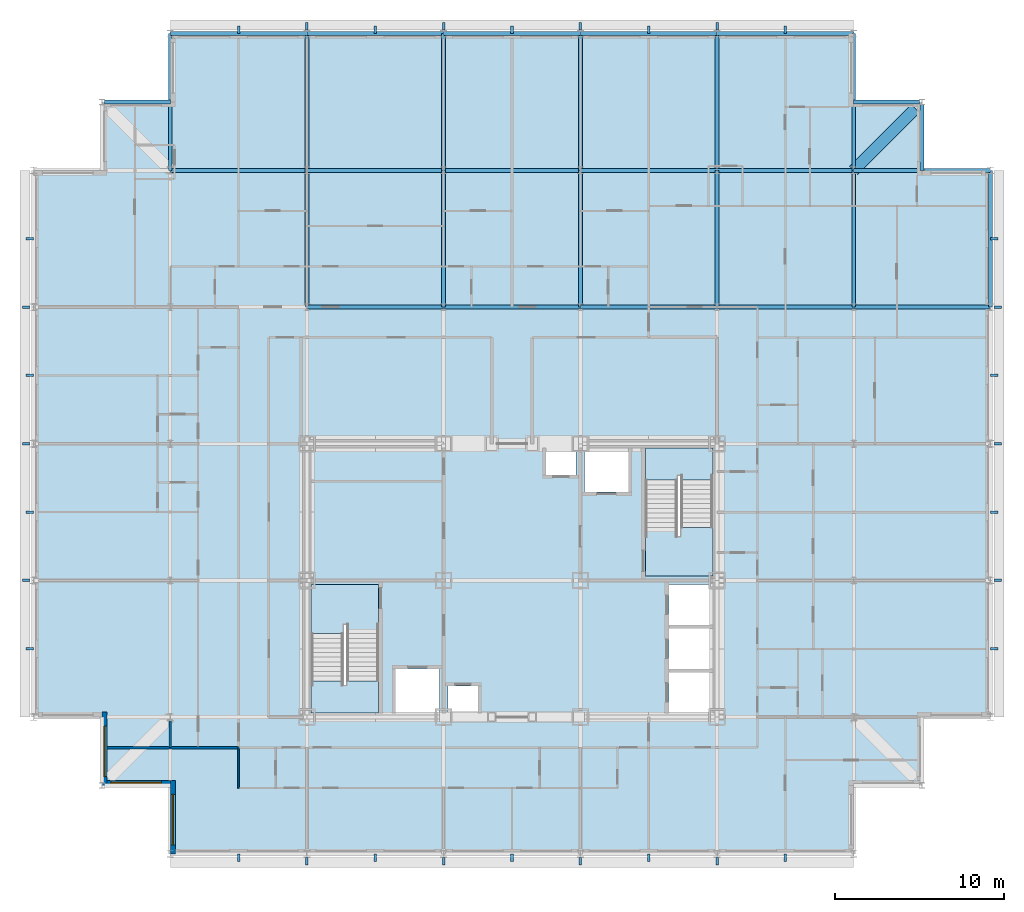
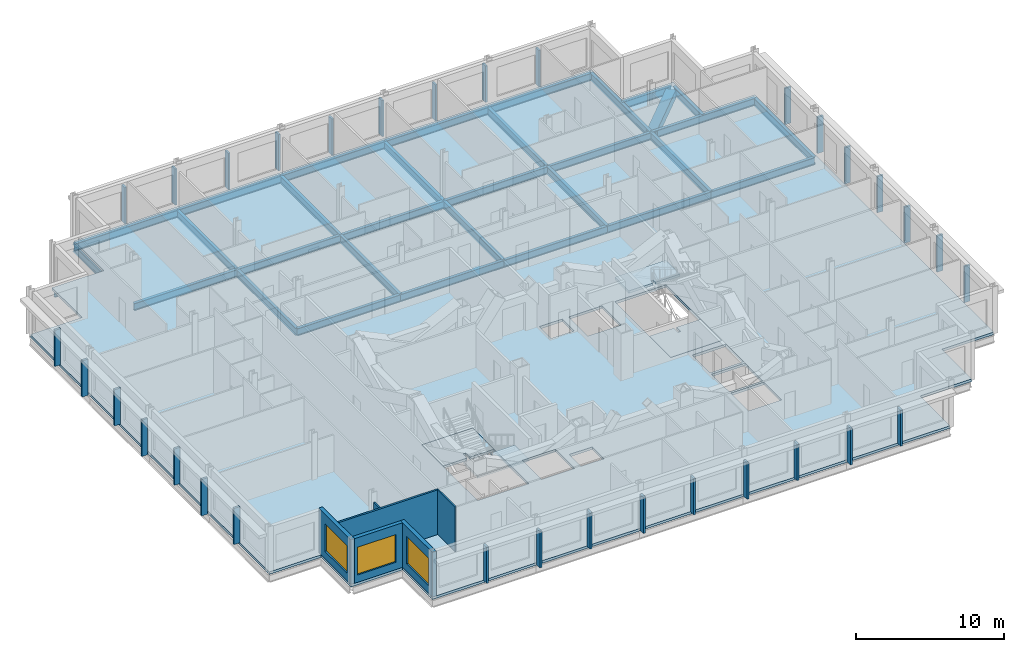
# One storey, part 6 of 15: 32 beams, 32 plates, 6 walls, 5 slabs, 3 windows, 3 openings, 2 elements without a shape of their own.
"""IFC4 building model written with IfcOpenShell, lengths in metres."""

from ifc_helpers import new_model, si_unit, direction, frame, frame_2d, origin, origin_2d, place, context, subcontext, project, spatial, polyline, rectangle, hollow_rectangle, i_section, outline, extrude, material, layer, layer_set, material_profile, profile_set, type_object, element, fill, aggregate, save


model = new_model("IFC4")

# Units and contexts
model_context = context("Model", 3, precision=1e-05, world=origin(), true_north=direction((0.0, 1.0)))
body_context = subcontext(model_context, "Body", "Model", "MODEL_VIEW")
ifc_project = project(units=[si_unit("LENGTHUNIT", "METRE"), si_unit("AREAUNIT", "SQUARE_METRE"), si_unit("VOLUMEUNIT", "CUBIC_METRE"), si_unit("PLANEANGLEUNIT", "RADIAN"), si_unit("MASSUNIT", "GRAM", prefix="KILO")], contexts=[model_context])

# Site, building, storey
site_placement = place(None, origin())
site = spatial("IfcSite", under=ifc_project, at=site_placement, CompositionType="ELEMENT")
building_placement = place(site_placement, origin())
building = spatial("IfcBuilding", under=site, at=building_placement, Name="Kopane Lantern Tower", CompositionType="ELEMENT")
storey_placement = place(building_placement, frame((0.0, 0.0, 289.199951171875)))
storey = spatial("IfcBuildingStorey", under=building, at=storey_placement, Name="L74", CompositionType="ELEMENT", Elevation=289.199951171875)

# Beams
ifc_material_1 = material(Name="Steel S355JR", Category="steel")
ifc_material_profile_1 = material_profile(ifc_material_1, hollow_rectangle(XDim=0.699951171875, YDim=0.699951171875, WallThickness=0.06005859375, at=origin_2d()), Name="BOX 700x700x60")
ifc_profile_set_1 = profile_set([ifc_material_profile_1], Name="Steel S355JR")
beam_type_1 = type_object("IfcBeamType", Name="CORNER TIE BEAM BOX 700x700x60", PredefinedType="BEAM", material=ifc_profile_set_1)
beam_1_placement = place(storey_placement, frame((52.25244140625, 60.3525390625, -0.56005859375), z_axis=(-0.707083148333, -0.70713041325, 0.0), x_axis=(0.70713041325, -0.707083148333, 0.0)))
element("IfcBeam", 1, at=beam_1_placement, inside=storey, type_object=beam_type_1, Name="Corner Tie Beam L74", PredefinedType="BEAM", context=body_context, shape_type="SweptSolid", body=[
    extrude(hollow_rectangle(XDim=0.699951171875, YDim=0.699951171875, WallThickness=0.06005859375, at=origin_2d()), origin(), (0.0, 0.0, 1.0), 5.165283203125),
])
ifc_material_2 = material(Name="Steel S355JR", Category="steel")
ifc_material_profile_2 = material_profile(ifc_material_2, i_section(OverallWidth=0.22900390625, OverallDepth=0.6123046875, WebThickness=0.011962890625, FlangeThickness=0.01953125, FilletRadius=0.0126953125, at=origin_2d()), Name="UB 610x229x125")
ifc_profile_set_2 = profile_set([ifc_material_profile_2], Name="Steel S355JR")
beam_type_2 = type_object("IfcBeamType", Name="EDGE BEAM UB 610x229x125", PredefinedType="BEAM", material=ifc_profile_set_2)
beam_2_placement = place(storey_placement, frame((4.20361328125, 60.75, -0.51611328125), z_axis=(1.0, 0.0, 0.0), x_axis=(0.0, 1.0, 0.0)))
element("IfcBeam", 2, at=beam_2_placement, inside=storey, type_object=beam_type_2, Name="Edge Beam L74", PredefinedType="BEAM", context=body_context, shape_type="SweptSolid", body=[
    extrude(i_section(OverallWidth=0.22900390625, OverallDepth=0.6123046875, WebThickness=0.011962890625, FlangeThickness=0.01953125, FilletRadius=0.0126953125, at=origin_2d()), origin(), (0.0, 0.0, 1.0), 3.896484375),
])
for number, where, z_axis, x_axis, name in (
    (3, (52.496337890625, 60.75, -0.51611328125), (-1.0, 0.0, 0.0), (0.0, -1.0, 0.0), "Edge Beam L74"),
    (4, (52.64990234375, 60.59619140625, -0.51611328125), (0.0, -1.0, 0.0), (1.0, 0.0, 0.0), "Edge Beam L74"),
):
    element("IfcBeam", number, at=place(storey_placement, frame(where, z_axis=z_axis, x_axis=x_axis)), inside=storey, type_object=beam_type_2, Name=name, PredefinedType="BEAM", context=body_context, shape_type="SweptSolid", body=[
        extrude(i_section(OverallWidth=0.22900390625, OverallDepth=0.6123046875, WebThickness=0.011962890625, FlangeThickness=0.01953125, FilletRadius=0.0126953125, at=origin_2d()), origin(), (0.0, 0.0, 1.0), 3.896240234375),
    ])
ifc_material_3 = material(Name="Steel S355JR", Category="steel")
ifc_material_profile_3 = material_profile(ifc_material_3, i_section(OverallWidth=0.22900390625, OverallDepth=0.6123046875, WebThickness=0.011962890625, FlangeThickness=0.01953125, FilletRadius=0.0126953125, at=origin_2d()), Name="UB 610x229x125")
ifc_profile_set_3 = profile_set([ifc_material_profile_3], Name="Steel S355JR")
beam_type_3 = type_object("IfcBeamType", Name="GIRDER UB 610x229x125", PredefinedType="BEAM", material=ifc_profile_set_3)
beam_3_placement = place(storey_placement, frame((8.10009765625, 56.699951171875, -0.51611328125), z_axis=(0.0, 1.0, 0.0), x_axis=(-1.0, 0.0, 0.0)))
element("IfcBeam", 5, at=beam_3_placement, inside=storey, type_object=beam_type_3, Name="Girder L74", PredefinedType="BEAM", context=body_context, shape_type="SweptSolid", body=[
    extrude(i_section(OverallWidth=0.22900390625, OverallDepth=0.6123046875, WebThickness=0.011962890625, FlangeThickness=0.01953125, FilletRadius=0.0126953125, at=origin_2d()), origin(), (0.0, 0.0, 1.0), 8.10009765625),
])
for number, where, z_axis, x_axis, name in (
    (6, (8.10009765625, 56.699951171875, -0.51611328125), (1.0, 0.0, 0.0), (0.0, 1.0, 0.0), "Girder L74"),
    (7, (8.10009765625, 64.800048828125, -0.51611328125), (1.0, 0.0, 0.0), (0.0, 1.0, 0.0), "Girder L74"),
    (8, (16.199951171875, 48.60009765625, -0.51611328125), (0.0, 1.0, 0.0), (-1.0, 0.0, 0.0), "Girder L74"),
):
    element("IfcBeam", number, at=place(storey_placement, frame(where, z_axis=z_axis, x_axis=x_axis)), inside=storey, type_object=beam_type_3, Name=name, PredefinedType="BEAM", context=body_context, shape_type="SweptSolid", body=[
        extrude(i_section(OverallWidth=0.22900390625, OverallDepth=0.6123046875, WebThickness=0.011962890625, FlangeThickness=0.01953125, FilletRadius=0.0126953125, at=origin_2d()), origin(), (0.0, 0.0, 1.0), 8.099853515625),
    ])
for number, where, z_axis, x_axis, name in (
    (9, (16.199951171875, 48.60009765625, -0.51611328125), (1.0, 0.0, 0.0), (0.0, 1.0, 0.0), "Girder L74"),
    (10, (16.199951171875, 56.699951171875, -0.51611328125), (0.0, 1.0, 0.0), (-1.0, 0.0, 0.0), "Girder L74"),
    (11, (16.199951171875, 56.699951171875, -0.51611328125), (1.0, 0.0, 0.0), (0.0, 1.0, 0.0), "Girder L74"),
    (12, (16.199951171875, 64.800048828125, -0.51611328125), (1.0, 0.0, 0.0), (0.0, 1.0, 0.0), "Girder L74"),
):
    element("IfcBeam", number, at=place(storey_placement, frame(where, z_axis=z_axis, x_axis=x_axis)), inside=storey, type_object=beam_type_3, Name=name, PredefinedType="BEAM", context=body_context, shape_type="SweptSolid", body=[
        extrude(i_section(OverallWidth=0.22900390625, OverallDepth=0.6123046875, WebThickness=0.011962890625, FlangeThickness=0.01953125, FilletRadius=0.0126953125, at=origin_2d()), origin(), (0.0, 0.0, 1.0), 8.10009765625),
    ])
for number, where, z_axis, x_axis, name in (
    (13, (24.300048828125, 48.60009765625, -0.51611328125), (0.0, 1.0, 0.0), (-1.0, 0.0, 0.0), "Girder L74"),
    (14, (24.300048828125, 48.60009765625, -0.51611328125), (1.0, 0.0, 0.0), (0.0, 1.0, 0.0), "Girder L74"),
):
    element("IfcBeam", number, at=place(storey_placement, frame(where, z_axis=z_axis, x_axis=x_axis)), inside=storey, type_object=beam_type_3, Name=name, PredefinedType="BEAM", context=body_context, shape_type="SweptSolid", body=[
        extrude(i_section(OverallWidth=0.22900390625, OverallDepth=0.6123046875, WebThickness=0.011962890625, FlangeThickness=0.01953125, FilletRadius=0.0126953125, at=origin_2d()), origin(), (0.0, 0.0, 1.0), 8.099853515625),
    ])
beam_4_placement = place(storey_placement, frame((24.300048828125, 56.699951171875, -0.51611328125), z_axis=(0.0, 1.0, 0.0), x_axis=(-1.0, 0.0, 0.0)))
element("IfcBeam", 15, at=beam_4_placement, inside=storey, type_object=beam_type_3, Name="Girder L74", PredefinedType="BEAM", context=body_context, shape_type="SweptSolid", body=[
    extrude(i_section(OverallWidth=0.22900390625, OverallDepth=0.6123046875, WebThickness=0.011962890625, FlangeThickness=0.01953125, FilletRadius=0.0126953125, at=origin_2d()), origin(), (0.0, 0.0, 1.0), 8.10009765625),
])
for number, where, z_axis, x_axis, name in (
    (16, (24.300048828125, 56.699951171875, -0.51611328125), (1.0, 0.0, 0.0), (0.0, 1.0, 0.0), "Girder L74"),
    (17, (24.300048828125, 64.800048828125, -0.51611328125), (1.0, 0.0, 0.0), (0.0, 1.0, 0.0), "Girder L74"),
    (18, (32.39990234375, 48.60009765625, -0.51611328125), (0.0, 1.0, 0.0), (-1.0, 0.0, 0.0), "Girder L74"),
):
    element("IfcBeam", number, at=place(storey_placement, frame(where, z_axis=z_axis, x_axis=x_axis)), inside=storey, type_object=beam_type_3, Name=name, PredefinedType="BEAM", context=body_context, shape_type="SweptSolid", body=[
        extrude(i_section(OverallWidth=0.22900390625, OverallDepth=0.6123046875, WebThickness=0.011962890625, FlangeThickness=0.01953125, FilletRadius=0.0126953125, at=origin_2d()), origin(), (0.0, 0.0, 1.0), 8.099853515625),
    ])
for number, where, z_axis, x_axis, name in (
    (19, (32.39990234375, 48.60009765625, -0.51611328125), (1.0, 0.0, 0.0), (0.0, 1.0, 0.0), "Girder L74"),
    (20, (32.39990234375, 56.699951171875, -0.51611328125), (0.0, 1.0, 0.0), (-1.0, 0.0, 0.0), "Girder L74"),
    (21, (32.39990234375, 56.699951171875, -0.51611328125), (1.0, 0.0, 0.0), (0.0, 1.0, 0.0), "Girder L74"),
    (22, (32.39990234375, 64.800048828125, -0.51611328125), (1.0, 0.0, 0.0), (0.0, 1.0, 0.0), "Girder L74"),
):
    element("IfcBeam", number, at=place(storey_placement, frame(where, z_axis=z_axis, x_axis=x_axis)), inside=storey, type_object=beam_type_3, Name=name, PredefinedType="BEAM", context=body_context, shape_type="SweptSolid", body=[
        extrude(i_section(OverallWidth=0.22900390625, OverallDepth=0.6123046875, WebThickness=0.011962890625, FlangeThickness=0.01953125, FilletRadius=0.0126953125, at=origin_2d()), origin(), (0.0, 0.0, 1.0), 8.10009765625),
    ])
beam_5_placement = place(storey_placement, frame((40.5, 48.60009765625, -0.51611328125), z_axis=(0.0, 1.0, 0.0), x_axis=(-1.0, 0.0, 0.0)))
element("IfcBeam", 23, at=beam_5_placement, inside=storey, type_object=beam_type_3, Name="Girder L74", PredefinedType="BEAM", context=body_context, shape_type="SweptSolid", body=[
    extrude(i_section(OverallWidth=0.22900390625, OverallDepth=0.6123046875, WebThickness=0.011962890625, FlangeThickness=0.01953125, FilletRadius=0.0126953125, at=origin_2d()), origin(), (0.0, 0.0, 1.0), 8.099853515625),
])
for number, where, z_axis, x_axis, name in (
    (24, (40.5, 48.60009765625, -0.51611328125), (1.0, 0.0, 0.0), (0.0, 1.0, 0.0), "Girder L74"),
    (25, (40.5, 56.699951171875, -0.51611328125), (0.0, 1.0, 0.0), (-1.0, 0.0, 0.0), "Girder L74"),
    (26, (40.5, 56.699951171875, -0.51611328125), (1.0, 0.0, 0.0), (0.0, 1.0, 0.0), "Girder L74"),
    (27, (40.5, 64.800048828125, -0.51611328125), (1.0, 0.0, 0.0), (0.0, 1.0, 0.0), "Girder L74"),
):
    element("IfcBeam", number, at=place(storey_placement, frame(where, z_axis=z_axis, x_axis=x_axis)), inside=storey, type_object=beam_type_3, Name=name, PredefinedType="BEAM", context=body_context, shape_type="SweptSolid", body=[
        extrude(i_section(OverallWidth=0.22900390625, OverallDepth=0.6123046875, WebThickness=0.011962890625, FlangeThickness=0.01953125, FilletRadius=0.0126953125, at=origin_2d()), origin(), (0.0, 0.0, 1.0), 8.10009765625),
    ])
for number, where, z_axis, x_axis, name in (
    (28, (48.60009765625, 48.60009765625, -0.51611328125), (0.0, 1.0, 0.0), (-1.0, 0.0, 0.0), "Girder L74"),
    (29, (48.60009765625, 48.60009765625, -0.51611328125), (1.0, 0.0, 0.0), (0.0, 1.0, 0.0), "Girder L74"),
):
    element("IfcBeam", number, at=place(storey_placement, frame(where, z_axis=z_axis, x_axis=x_axis)), inside=storey, type_object=beam_type_3, Name=name, PredefinedType="BEAM", context=body_context, shape_type="SweptSolid", body=[
        extrude(i_section(OverallWidth=0.22900390625, OverallDepth=0.6123046875, WebThickness=0.011962890625, FlangeThickness=0.01953125, FilletRadius=0.0126953125, at=origin_2d()), origin(), (0.0, 0.0, 1.0), 8.099853515625),
    ])
beam_6_placement = place(storey_placement, frame((48.60009765625, 56.699951171875, -0.51611328125), z_axis=(0.0, 1.0, 0.0), x_axis=(-1.0, 0.0, 0.0)))
element("IfcBeam", 30, at=beam_6_placement, inside=storey, type_object=beam_type_3, Name="Girder L74", PredefinedType="BEAM", context=body_context, shape_type="SweptSolid", body=[
    extrude(i_section(OverallWidth=0.22900390625, OverallDepth=0.6123046875, WebThickness=0.011962890625, FlangeThickness=0.01953125, FilletRadius=0.0126953125, at=origin_2d()), origin(), (0.0, 0.0, 1.0), 8.10009765625),
])
for number, where, z_axis, x_axis, name in (
    (31, (48.60009765625, 56.699951171875, -0.51611328125), (1.0, 0.0, 0.0), (0.0, 1.0, 0.0), "Girder L74"),
    (32, (56.699951171875, 48.60009765625, -0.51611328125), (0.0, 1.0, 0.0), (-1.0, 0.0, 0.0), "Girder L74"),
):
    element("IfcBeam", number, at=place(storey_placement, frame(where, z_axis=z_axis, x_axis=x_axis)), inside=storey, type_object=beam_type_3, Name=name, PredefinedType="BEAM", context=body_context, shape_type="SweptSolid", body=[
        extrude(i_section(OverallWidth=0.22900390625, OverallDepth=0.6123046875, WebThickness=0.011962890625, FlangeThickness=0.01953125, FilletRadius=0.0126953125, at=origin_2d()), origin(), (0.0, 0.0, 1.0), 8.099853515625),
    ])

# Slab
ifc_material_4 = material(Name="Concrete C40/50", Category="concrete")
ifc_layer_1 = layer(ifc_material_4, 0.2099609375)
ifc_layer_set_1 = layer_set([ifc_layer_1], Name="SLAB 210 COMPOSITE")
slab_type_1 = type_object("IfcSlabType", Name="SLAB 210 COMPOSITE", PredefinedType="FLOOR", material=ifc_layer_set_1)
slab_1_placement = place(storey_placement, frame((0.0, 0.0, -0.2099609375)))
element("IfcSlab", 33, at=slab_1_placement, inside=storey, type_object=slab_type_1, Name="Floor slab L74", PredefinedType="FLOOR", context=body_context, shape_type="SweptSolid", body=[
    extrude(outline(polyline([(8.10009765625, 16.199951171875), (48.60009765625, 16.199951171875), (48.60009765625, 20.25), (52.64990234375, 20.25), (52.64990234375, 24.300048828125), (56.699951171875, 24.300048828125), (56.699951171875, 56.699951171875), (52.64990234375, 56.699951171875), (52.64990234375, 60.75), (48.60009765625, 60.75), (48.60009765625, 64.800048828125), (8.10009765625, 64.800048828125), (8.10009765625, 60.75), (4.050048828125, 60.75), (4.050048828125, 56.699951171875), (0.0, 56.699951171875), (0.0, 24.300048828125), (4.050048828125, 24.300048828125), (4.050048828125, 20.25), (8.10009765625, 20.25), (8.10009765625, 16.199951171875)]), holes=[polyline([(16.449951171875, 24.550048828125), (20.449951171875, 24.550048828125), (20.449951171875, 32.14990234375), (16.449951171875, 32.14990234375), (16.449951171875, 24.550048828125)]), polyline([(36.25, 32.64990234375), (40.25, 32.64990234375), (40.25, 40.25), (36.25, 40.25), (36.25, 32.64990234375)]), polyline([(37.64990234375, 24.550048828125), (40.25, 24.550048828125), (40.25, 26.949951171875), (37.64990234375, 26.949951171875), (37.64990234375, 24.550048828125)]), polyline([(37.64990234375, 27.14990234375), (40.25, 27.14990234375), (40.25, 29.550048828125), (37.64990234375, 29.550048828125), (37.64990234375, 27.14990234375)]), polyline([(37.64990234375, 29.75), (40.25, 29.75), (40.25, 32.14990234375), (37.64990234375, 32.14990234375), (37.64990234375, 29.75)]), polyline([(21.449951171875, 24.550048828125), (24.050048828125, 24.550048828125), (24.050048828125, 27.14990234375), (21.449951171875, 27.14990234375), (21.449951171875, 24.550048828125)]), polyline([(32.64990234375, 37.64990234375), (35.25, 37.64990234375), (35.25, 40.25), (32.64990234375, 40.25), (32.64990234375, 37.64990234375)]), polyline([(24.550048828125, 24.550048828125), (26.35009765625, 24.550048828125), (26.35009765625, 26.14990234375), (24.550048828125, 26.14990234375), (24.550048828125, 24.550048828125)]), polyline([(30.35009765625, 38.64990234375), (32.14990234375, 38.64990234375), (32.14990234375, 40.25), (30.35009765625, 40.25), (30.35009765625, 38.64990234375)])]), origin(), (0.0, 0.0, 1.0), 0.2099609375),
])

# Stair, slabs
ifc_material_5 = material(Name="Steel S355JR", Category="steel")
stair_type = type_object("IfcStairType", Name="EXIT STAIR 1900 HALF TURN", PredefinedType="HALF_TURN_STAIR", material=ifc_material_5)
stair_1_placement = place(storey_placement, origin())
stair_1 = element("IfcStair", 34, at=stair_1_placement, inside=storey, type_object=stair_type, Name="Exit stair ST1 L74", PredefinedType="HALF_TURN_STAIR")
ifc_material_6 = material(Name="Concrete C40/50", Category="concrete")
ifc_layer_2 = layer(ifc_material_6, 0.199951171875)
ifc_layer_set_2 = layer_set([ifc_layer_2], Name="STAIR LANDING 200")
slab_type_2 = type_object("IfcSlabType", Name="STAIR LANDING 200", PredefinedType="LANDING", material=ifc_layer_set_2)
slab_2_placement = place(storey_placement, frame((0.0, 0.0, -0.199951171875)))
slab_2 = element("IfcSlab", 35, at=slab_2_placement, type_object=slab_type_2, Name="ST1 landing 1", PredefinedType="LANDING", context=body_context, shape_type="SweptSolid", body=[
    extrude(outline(polyline([(18.35009765625, 29.81005859375), (18.550048828125, 29.81005859375), (18.550048828125, 29.25), (20.449951171875, 29.25), (20.449951171875, 32.14990234375), (16.449951171875, 32.14990234375), (16.449951171875, 29.25), (18.35009765625, 29.25), (18.35009765625, 29.81005859375)])), origin(), (0.0, 0.0, 1.0), 0.199951171875),
])
slab_3_placement = place(storey_placement, frame((0.0, 0.0, 1.8349609375)))
slab_3 = element("IfcSlab", 36, at=slab_3_placement, type_object=slab_type_2, Name="ST1 landing 2", PredefinedType="LANDING", context=body_context, shape_type="SweptSolid", body=[
    extrude(outline(polyline([(20.449951171875, 26.449951171875), (18.550048828125, 26.449951171875), (18.550048828125, 26.169921875), (18.35009765625, 26.169921875), (18.35009765625, 26.449951171875), (16.449951171875, 26.449951171875), (16.449951171875, 24.550048828125), (20.449951171875, 24.550048828125), (20.449951171875, 26.449951171875)])), origin(), (0.0, 0.0, 1.0), 0.199951171875),
])
aggregate(stair_1, [slab_2, slab_3])

stair_2_placement = place(storey_placement, origin())
stair_2 = element("IfcStair", 37, at=stair_2_placement, inside=storey, type_object=stair_type, Name="Exit stair ST2 L74", PredefinedType="HALF_TURN_STAIR")
slab_4_placement = place(storey_placement, frame((0.0, 0.0, -0.199951171875)))
slab_4 = element("IfcSlab", 38, at=slab_4_placement, type_object=slab_type_2, Name="ST2 landing 1", PredefinedType="LANDING", context=body_context, shape_type="SweptSolid", body=[
    extrude(outline(polyline([(40.25, 35.550048828125), (38.35009765625, 35.550048828125), (38.35009765625, 34.989990234375), (38.14990234375, 34.989990234375), (38.14990234375, 35.550048828125), (36.25, 35.550048828125), (36.25, 32.64990234375), (40.25, 32.64990234375), (40.25, 35.550048828125)])), origin(), (0.0, 0.0, 1.0), 0.199951171875),
])
slab_5_placement = place(storey_placement, frame((0.0, 0.0, 1.8349609375)))
slab_5 = element("IfcSlab", 39, at=slab_5_placement, type_object=slab_type_2, Name="ST2 landing 2", PredefinedType="LANDING", context=body_context, shape_type="SweptSolid", body=[
    extrude(outline(polyline([(38.14990234375, 38.6298828125), (38.35009765625, 38.6298828125), (38.35009765625, 38.35009765625), (40.25, 38.35009765625), (40.25, 40.25), (36.25, 40.25), (36.25, 38.35009765625), (38.14990234375, 38.35009765625), (38.14990234375, 38.6298828125)])), origin(), (0.0, 0.0, 1.0), 0.199951171875),
])
aggregate(stair_2, [slab_4, slab_5])

# Plates
ifc_material_7 = material(Name="Terracotta rainscreen on light steel framing", Category="masonry")
ifc_layer_3 = layer(ifc_material_7, 0.14990234375)
ifc_layer_set_3 = layer_set([ifc_layer_3], Name="TERRACOTTA FIN TF1 150x450")
plate_type = type_object("IfcPlateType", Name="TERRACOTTA FIN TF1 150x450", PredefinedType="USERDEFINED", material=ifc_layer_set_3)
for number, where, z_axis, x_axis, name in (
    (40, (12.14990234375, 15.97509765625, 0.0), (0.0, 0.0, 1.0), (1.0, 0.0, 0.0), "Terracotta fin L74"),
    (41, (16.199951171875, 15.765380859375, 0.0), (0.0, 0.0, 1.0), (1.0, 0.0, 0.0), "Terracotta fin L74"),
    (42, (20.25, 15.97509765625, 0.0), (0.0, 0.0, 1.0), (1.0, 0.0, 0.0), "Terracotta fin L74"),
    (43, (24.300048828125, 15.765380859375, 0.0), (0.0, 0.0, 1.0), (1.0, 0.0, 0.0), "Terracotta fin L74"),
    (44, (28.35009765625, 15.97509765625, 0.0), (0.0, 0.0, 1.0), (1.0, 0.0, 0.0), "Terracotta fin L74"),
    (45, (32.39990234375, 15.765380859375, 0.0), (0.0, 0.0, 1.0), (1.0, 0.0, 0.0), "Terracotta fin L74"),
    (46, (36.449951171875, 15.97509765625, 0.0), (0.0, 0.0, 1.0), (1.0, 0.0, 0.0), "Terracotta fin L74"),
    (47, (40.5, 15.765380859375, 0.0), (0.0, 0.0, 1.0), (1.0, 0.0, 0.0), "Terracotta fin L74"),
    (48, (44.550048828125, 15.97509765625, 0.0), (0.0, 0.0, 1.0), (1.0, 0.0, 0.0), "Terracotta fin L74"),
    (49, (56.925048828125, 28.35009765625, 0.0), (0.0, 0.0, 1.0), (0.0, 1.0, 0.0), "Terracotta fin L74"),
    (50, (57.12841796875, 32.39990234375, 0.0), (0.0, 0.0, 1.0), (0.0, 1.0, 0.0), "Terracotta fin L74"),
    (51, (56.925048828125, 36.449951171875, 0.0), (0.0, 0.0, 1.0), (0.0, 1.0, 0.0), "Terracotta fin L74"),
    (52, (57.12841796875, 40.5, 0.0), (0.0, 0.0, 1.0), (0.0, 1.0, 0.0), "Terracotta fin L74"),
    (53, (56.925048828125, 44.550048828125, 0.0), (0.0, 0.0, 1.0), (0.0, 1.0, 0.0), "Terracotta fin L74"),
    (54, (57.12841796875, 48.60009765625, 0.0), (0.0, 0.0, 1.0), (0.0, 1.0, 0.0), "Terracotta fin L74"),
    (55, (56.925048828125, 52.64990234375, 0.0), (0.0, 0.0, 1.0), (0.0, 1.0, 0.0), "Terracotta fin L74"),
    (56, (44.550048828125, 65.02490234375, 0.0), (0.0, 0.0, 1.0), (-1.0, 0.0, 0.0), "Terracotta fin L74"),
    (57, (40.5, 65.234619140625, 0.0), (0.0, 0.0, 1.0), (-1.0, 0.0, 0.0), "Terracotta fin L74"),
    (58, (36.449951171875, 65.02490234375, 0.0), (0.0, 0.0, 1.0), (-1.0, 0.0, 0.0), "Terracotta fin L74"),
    (59, (32.39990234375, 65.234619140625, 0.0), (0.0, 0.0, 1.0), (-1.0, 0.0, 0.0), "Terracotta fin L74"),
    (60, (28.35009765625, 65.02490234375, 0.0), (0.0, 0.0, 1.0), (-1.0, 0.0, 0.0), "Terracotta fin L74"),
    (61, (24.300048828125, 65.234619140625, 0.0), (0.0, 0.0, 1.0), (-1.0, 0.0, 0.0), "Terracotta fin L74"),
    (62, (20.25, 65.02490234375, 0.0), (0.0, 0.0, 1.0), (-1.0, 0.0, 0.0), "Terracotta fin L74"),
    (63, (16.199951171875, 65.234619140625, 0.0), (0.0, 0.0, 1.0), (-1.0, 0.0, 0.0), "Terracotta fin L74"),
    (64, (12.14990234375, 65.02490234375, 0.0), (0.0, 0.0, 1.0), (-1.0, 0.0, 0.0), "Terracotta fin L74"),
    (65, (-0.22509765625, 52.64990234375, 0.0), (0.0, 0.0, 1.0), (0.0, -1.0, 0.0), "Terracotta fin L74"),
    (66, (-0.428466796875, 48.60009765625, 0.0), (0.0, 0.0, 1.0), (0.0, -1.0, 0.0), "Terracotta fin L74"),
    (67, (-0.22509765625, 44.550048828125, 0.0), (0.0, 0.0, 1.0), (0.0, -1.0, 0.0), "Terracotta fin L74"),
    (68, (-0.428466796875, 40.5, 0.0), (0.0, 0.0, 1.0), (0.0, -1.0, 0.0), "Terracotta fin L74"),
    (69, (-0.22509765625, 36.449951171875, 0.0), (0.0, 0.0, 1.0), (0.0, -1.0, 0.0), "Terracotta fin L74"),
    (70, (-0.428466796875, 32.39990234375, 0.0), (0.0, 0.0, 1.0), (0.0, -1.0, 0.0), "Terracotta fin L74"),
    (71, (-0.22509765625, 28.35009765625, 0.0), (0.0, 0.0, 1.0), (0.0, -1.0, 0.0), "Terracotta fin L74"),
):
    element("IfcPlate", number, at=place(storey_placement, frame(where, z_axis=z_axis, x_axis=x_axis)), inside=storey, type_object=plate_type, Name=name, ObjectType="TERRACOTTA FIN", PredefinedType="USERDEFINED", context=body_context, shape_type="SweptSolid", body=[
        extrude(rectangle(XDim=0.14990234375, YDim=0.449951171875, at=origin_2d()), origin(), (0.0, 0.0, 1.0), 3.0),
    ])

# Walls
ifc_material_8 = material(Name="Gypsum board on steel studs", Category="steel")
ifc_layer_4 = layer(ifc_material_8, 0.1201171875)
ifc_layer_set_4 = layer_set([ifc_layer_4], Name="APARTMENT INTERNAL WALL 120")
wall_type_1 = type_object("IfcWallType", Name="APARTMENT INTERNAL WALL 120", PredefinedType="PARTITIONING", material=ifc_layer_set_4)
wall_1_placement = place(storey_placement, frame((8.10009765625, 22.5, 0.0), z_axis=(0.0, 0.0, 1.0), x_axis=(0.0, 1.0, 0.0)))
element("IfcWall", 72, at=wall_1_placement, inside=storey, type_object=wall_type_1, Name="Apartment Internal Wall 120 L74", PredefinedType="PARTITIONING", context=body_context, shape_type="SweptSolid", body=[
    extrude(rectangle(XDim=1.596923828125, YDim=0.1201171875, at=frame_2d((0.79833984375, 0.0))), origin(), (0.0, 0.0, 1.0), 3.077880859375),
])
ifc_material_9 = material(Name="Moisture-resistant board on steel studs", Category="steel")
ifc_layer_5 = layer(ifc_material_9, 0.10009765625)
ifc_layer_set_5 = layer_set([ifc_layer_5], Name="BATHROOM WALL 100")
wall_type_2 = type_object("IfcWallType", Name="BATHROOM WALL 100", PredefinedType="PARTITIONING", material=ifc_layer_set_5)
wall_2_placement = place(storey_placement, frame((12.14990234375, 22.5, 0.0), z_axis=(0.0, 0.0, 1.0), x_axis=(0.0, -1.0, 0.0)))
element("IfcWall", 73, at=wall_2_placement, inside=storey, type_object=wall_type_2, Name="Bathroom Wall 100 L74", PredefinedType="PARTITIONING", context=body_context, shape_type="SweptSolid", body=[
    extrude(rectangle(XDim=2.39990234375, YDim=0.10009765625, at=frame_2d((1.199951171875, 0.0))), origin(), (0.0, 0.0, 1.0), 3.68994140625),
])
ifc_material_10 = material(Name="Gypsum board on steel studs", Category="steel")
ifc_layer_6 = layer(ifc_material_10, 0.14990234375)
ifc_layer_set_6 = layer_set([ifc_layer_6], Name="DEMISING WALL 150 EI 60")
wall_type_3 = type_object("IfcWallType", Name="DEMISING WALL 150 EI 60", PredefinedType="PARTITIONING", material=ifc_layer_set_6)
wall_3_placement = place(storey_placement, frame((4.35009765625, 22.5, 0.0), z_axis=(0.0, 0.0, 1.0), x_axis=(1.0, 0.0, 0.0)))
element("IfcWall", 74, at=wall_3_placement, inside=storey, type_object=wall_type_3, Name="Demising Wall 150 Ei 60 L74", PredefinedType="PARTITIONING", context=body_context, shape_type="SweptSolid", body=[
    extrude(rectangle(XDim=7.7998046875, YDim=0.14990234375, at=frame_2d((3.89990234375, 0.0))), origin(), (0.0, 0.0, 1.0), 3.68994140625),
])

# Wall, opening, window
ifc_material_11 = material(Name="Terracotta rainscreen on light steel framing", Category="masonry")
ifc_layer_7 = layer(ifc_material_11, 0.300048828125)
ifc_layer_set_7 = layer_set([ifc_layer_7], Name="EXTERNAL WALL EW1 300 TERRACOTTA")
wall_type_4 = type_object("IfcWallType", Name="EXTERNAL WALL EW1 300 TERRACOTTA", PredefinedType="SOLIDWALL", material=ifc_layer_set_7)
wall_4_placement = place(storey_placement, frame((4.199951171875, 24.60009765625, 0.0), z_axis=(0.0, 0.0, 1.0), x_axis=(0.0, -1.0, 0.0)))
wall_4 = element("IfcWall", 75, at=wall_4_placement, inside=storey, type_object=wall_type_4, Name="External wall W L74", PredefinedType="SOLIDWALL", context=body_context, shape_type="SweptSolid", body=[
    extrude(rectangle(XDim=4.35009765625, YDim=0.300048828125, at=frame_2d((2.175048828125, 0.0))), origin(), (0.0, 0.0, 1.0), 3.68994140625),
])
opening_1_placement = place(wall_4_placement, frame((0.824951171875, 0.0, 0.60009765625)))
opening_1 = element("IfcOpeningElement", 76, at=opening_1_placement, cuts=wall_4, Name="Opening WR300230", PredefinedType="OPENING", context=body_context, shape_type="SweptSolid", body=[
    extrude(rectangle(XDim=3.0, YDim=2.300048828125, at=frame_2d((1.5, 1.14990234375))), frame((0.0, 0.159912109375, 0.0), z_axis=(0.0, -1.0, 0.0), x_axis=(1.0, 0.0, 0.0)), (0.0, 0.0, 1.0), 0.320068359375),
])
ifc_material_12 = material(Name="Aluminium and clear glass", Category="aluminium")
window_type = type_object("IfcWindowType", Name="RIBBON WINDOW WR300230 3000x2300", PartitioningType="SINGLE_PANEL", PredefinedType="WINDOW", material=ifc_material_12)
window_1_placement = place(opening_1_placement, origin())
window_1 = element("IfcWindow", 77, at=window_1_placement, inside=storey, type_object=window_type, Name="Window W L74", OverallHeight=2.300048828125, OverallWidth=3.0, PartitioningType="SINGLE_PANEL", PredefinedType="WINDOW", context=body_context, shape_type="SweptSolid", body=[
    extrude(rectangle(XDim=3.0, YDim=2.300048828125, at=frame_2d((1.5, 1.14990234375))), frame((0.0, 0.030029296875, 0.0), z_axis=(0.0, -1.0, 0.0), x_axis=(1.0, 0.0, 0.0)), (0.0, 0.0, 1.0), 0.06005859375),
])
fill(opening_1, window_1)

wall_5_placement = place(storey_placement, frame((4.35009765625, 20.39990234375, 0.0), z_axis=(0.0, 0.0, 1.0), x_axis=(1.0, 0.0, 0.0)))
wall_5 = element("IfcWall", 78, at=wall_5_placement, inside=storey, type_object=wall_type_4, Name="External wall S L74", PredefinedType="SOLIDWALL", context=body_context, shape_type="SweptSolid", body=[
    extrude(rectangle(XDim=3.75, YDim=0.300048828125, at=frame_2d((1.875, 0.0))), origin(), (0.0, 0.0, 1.0), 3.68994140625),
])
opening_2_placement = place(wall_5_placement, frame((0.22509765625, 0.0, 0.60009765625)))
opening_2 = element("IfcOpeningElement", 79, at=opening_2_placement, cuts=wall_5, Name="Opening WR300230", PredefinedType="OPENING", context=body_context, shape_type="SweptSolid", body=[
    extrude(rectangle(XDim=3.0, YDim=2.300048828125, at=frame_2d((1.5, 1.14990234375))), frame((0.0, 0.159912109375, 0.0), z_axis=(0.0, -1.0, 0.0), x_axis=(1.0, 0.0, 0.0)), (0.0, 0.0, 1.0), 0.320068359375),
])
window_2_placement = place(opening_2_placement, origin())
window_2 = element("IfcWindow", 80, at=window_2_placement, inside=storey, type_object=window_type, Name="Window S L74", OverallHeight=2.300048828125, OverallWidth=3.0, PartitioningType="SINGLE_PANEL", PredefinedType="WINDOW", context=body_context, shape_type="SweptSolid", body=[
    extrude(rectangle(XDim=3.0, YDim=2.300048828125, at=frame_2d((1.5, 1.14990234375))), frame((0.0, 0.030029296875, 0.0), z_axis=(0.0, -1.0, 0.0), x_axis=(1.0, 0.0, 0.0)), (0.0, 0.0, 1.0), 0.06005859375),
])
fill(opening_2, window_2)

wall_6_placement = place(storey_placement, frame((8.25, 20.550048828125, 0.0), z_axis=(0.0, 0.0, 1.0), x_axis=(0.0, -1.0, 0.0)))
wall_6 = element("IfcWall", 81, at=wall_6_placement, inside=storey, type_object=wall_type_4, Name="External wall W L74", PredefinedType="SOLIDWALL", context=body_context, shape_type="SweptSolid", body=[
    extrude(rectangle(XDim=4.35009765625, YDim=0.300048828125, at=frame_2d((2.175048828125, 0.0))), origin(), (0.0, 0.0, 1.0), 3.68994140625),
])
opening_3_placement = place(wall_6_placement, frame((0.824951171875, 0.0, 0.60009765625)))
opening_3 = element("IfcOpeningElement", 82, at=opening_3_placement, cuts=wall_6, Name="Opening WR300230", PredefinedType="OPENING", context=body_context, shape_type="SweptSolid", body=[
    extrude(rectangle(XDim=3.0, YDim=2.300048828125, at=frame_2d((1.5, 1.14990234375))), frame((0.0, 0.159912109375, 0.0), z_axis=(0.0, -1.0, 0.0), x_axis=(1.0, 0.0, 0.0)), (0.0, 0.0, 1.0), 0.320068359375),
])
window_3_placement = place(opening_3_placement, origin())
window_3 = element("IfcWindow", 83, at=window_3_placement, inside=storey, type_object=window_type, Name="Window W L74", OverallHeight=2.300048828125, OverallWidth=3.0, PartitioningType="SINGLE_PANEL", PredefinedType="WINDOW", context=body_context, shape_type="SweptSolid", body=[
    extrude(rectangle(XDim=3.0, YDim=2.300048828125, at=frame_2d((1.5, 1.14990234375))), frame((0.0, 0.030029296875, 0.0), z_axis=(0.0, -1.0, 0.0), x_axis=(1.0, 0.0, 0.0)), (0.0, 0.0, 1.0), 0.06005859375),
])
fill(opening_3, window_3)

save(model, "model.ifc")
